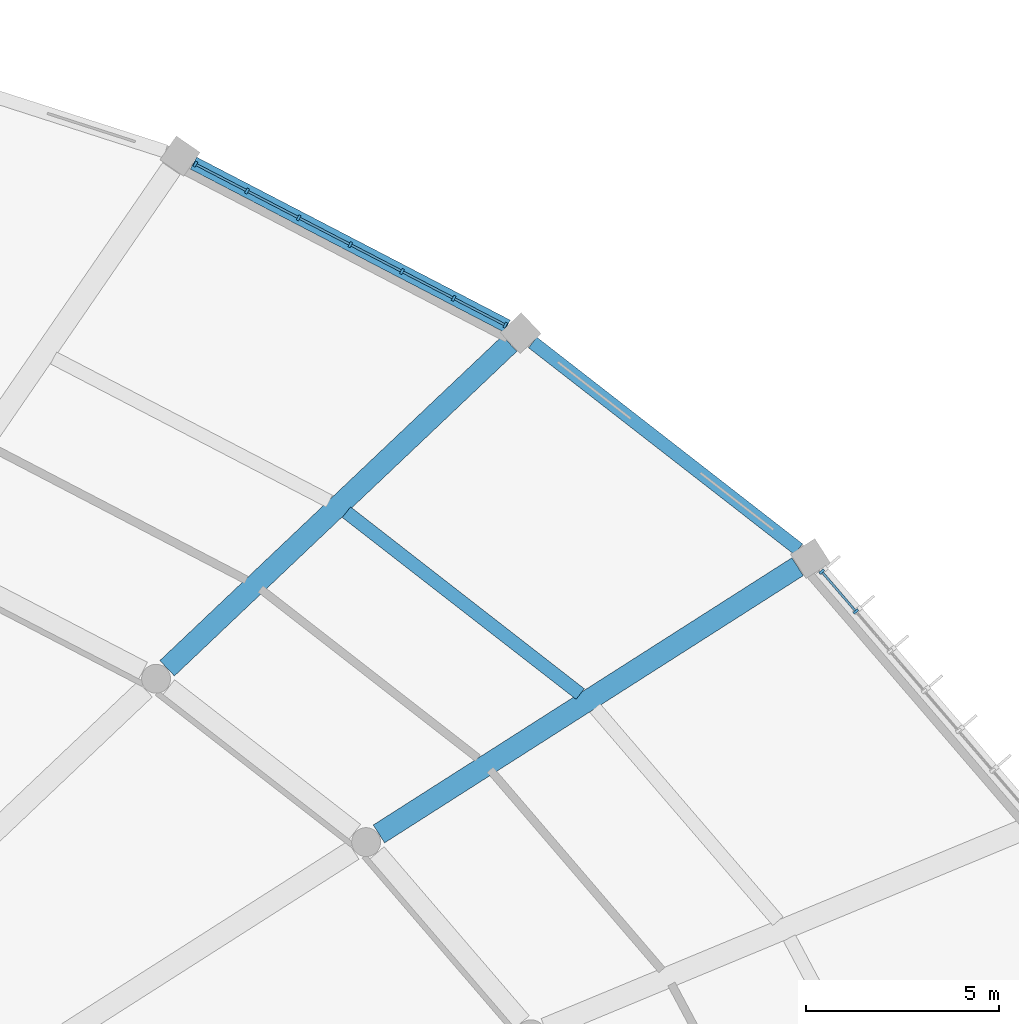
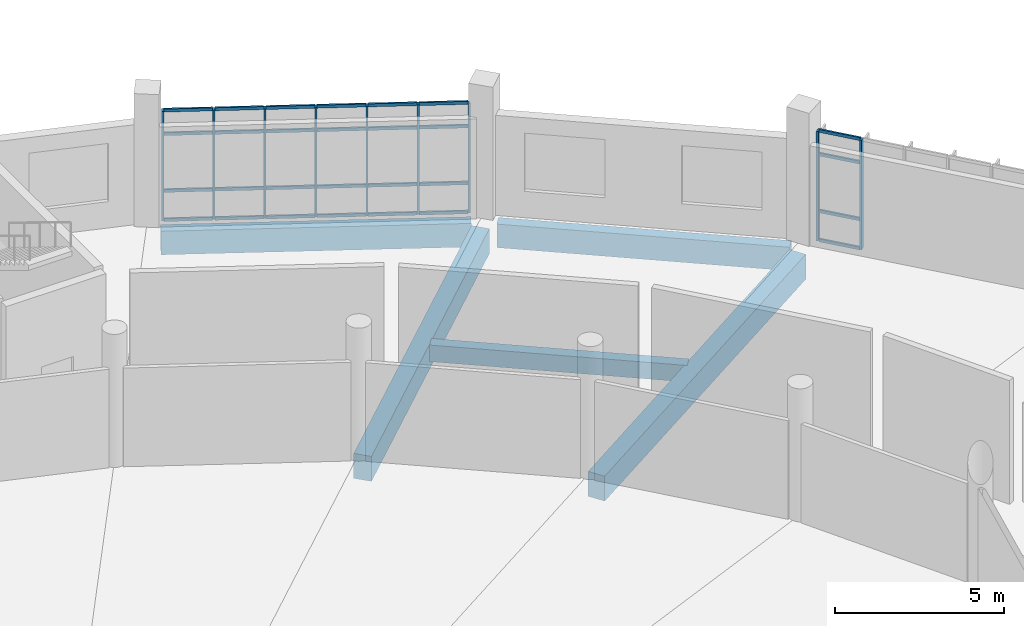
# One storey, part 61 of 179: 37 members, 5 beams, 2 elements without a shape of their own.
"""IFC4 building model written with IfcOpenShell, lengths in metres."""

from ifc_helpers import new_model, si_unit, direction, frame, origin, origin_2d, place, context, subcontext, project, spatial, rectangle, extrude, material, layer, layer_set, material_profile, profile_set, type_object, element, aggregate, save


model = new_model("IFC4")

# Units and contexts
model_context = context("Model", 3, precision=1e-05, world=origin(), true_north=direction((0.0, 1.0)))
body_context = subcontext(model_context, "Body", "Model", "MODEL_VIEW")
ifc_project = project(units=[si_unit("LENGTHUNIT", "METRE"), si_unit("AREAUNIT", "SQUARE_METRE"), si_unit("VOLUMEUNIT", "CUBIC_METRE"), si_unit("PLANEANGLEUNIT", "RADIAN"), si_unit("MASSUNIT", "GRAM", prefix="KILO")], contexts=[model_context])

# Site, building, storey
site_placement = place(None, origin())
site = spatial("IfcSite", under=ifc_project, at=site_placement, CompositionType="ELEMENT")
building_placement = place(site_placement, origin())
building = spatial("IfcBuilding", under=site, at=building_placement, Name="Corvandel Quay Wholesale Market", CompositionType="ELEMENT")
storey_placement = place(building_placement, frame((0.0, 0.0, 6.0)))
storey = spatial("IfcBuildingStorey", under=building, at=storey_placement, Name="L01", CompositionType="ELEMENT", Elevation=6.0)

# Curtain wall, members
ifc_material_1 = material(Name="Bronze anodised aluminium and low-E insulated glazing", Category="aluminium")
ifc_layer_1 = layer(ifc_material_1, 0.174072265625)
ifc_layer_set_1 = layer_set([ifc_layer_1], Name="Bronze anodised aluminium and low-E insulated glazing")
curtain_wall_type_1 = type_object("IfcCurtainWallType", Name="Stick Curtain Wall System CW07 H3630", PredefinedType="NOTDEFINED", material=ifc_layer_set_1)
curtain_wall_1_placement = place(storey_placement, origin())
curtain_wall_1 = element("IfcCurtainWall", 1, at=curtain_wall_1_placement, inside=storey, type_object=curtain_wall_type_1, Name="Curtain Wall CW-0006", PredefinedType="NOTDEFINED")
ifc_material_2 = material(Name="Anodised aluminium 6063-T6", Category="aluminium")
ifc_material_profile_1 = material_profile(ifc_material_2, rectangle(XDim=0.06494140625, YDim=0.14990234375, at=origin_2d()), Name="ALU-MUL-65x150")
ifc_profile_set_1 = profile_set([ifc_material_profile_1], Name="Anodised aluminium 6063-T6")
member_type_1 = type_object("IfcMemberType", Name="Curtain Wall Mullion ML02 65x150", PredefinedType="MULLION", material=ifc_profile_set_1)
member_1_placement = place(storey_placement, frame((157.125244140625, 67.39892578125, 0.0), z_axis=(0.0, 0.0, 1.0), x_axis=(-0.651568967347, 0.758589401976, 0.0)))
member_1 = element("IfcMember", 2, at=member_1_placement, type_object=member_type_1, Name="Mullion CW-0006-M05", PredefinedType="MULLION", context=body_context, shape_type="SweptSolid", body=[
    extrude(rectangle(XDim=0.06494140625, YDim=0.14990234375, at=origin_2d()), origin(), (0.0, 0.0, 1.0), 3.949951171875),
])
member_2_placement = place(storey_placement, frame((156.23828125, 68.431640625, 0.0), z_axis=(0.0, 0.0, 1.0), x_axis=(-0.651568967347, 0.758589401976, 0.0)))
member_2 = element("IfcMember", 3, at=member_2_placement, type_object=member_type_1, Name="Mullion CW-0006-M06", PredefinedType="MULLION", context=body_context, shape_type="SweptSolid", body=[
    extrude(rectangle(XDim=0.06494140625, YDim=0.14990234375, at=origin_2d()), origin(), (0.0, 0.0, 1.0), 3.949951171875),
])

ifc_layer_2 = layer(ifc_material_1, 0.197998046875)
ifc_layer_set_2 = layer_set([ifc_layer_2], Name="Bronze anodised aluminium and low-E insulated glazing")
curtain_wall_type_2 = type_object("IfcCurtainWallType", Name="Stick Curtain Wall System CW09 H3810", PredefinedType="NOTDEFINED", material=ifc_layer_set_2)
curtain_wall_2_placement = place(storey_placement, origin())
curtain_wall_2 = element("IfcCurtainWall", 4, at=curtain_wall_2_placement, inside=storey, type_object=curtain_wall_type_2, Name="Curtain Wall CW-0013", PredefinedType="NOTDEFINED")
member_3_placement = place(storey_placement, frame((148.023681640625, 74.83154296875, 0.0), z_axis=(0.0, 0.0, 1.0), x_axis=(-0.887332978338, 0.461129250378, 0.0)))
member_3 = element("IfcMember", 5, at=member_3_placement, type_object=member_type_1, Name="Mullion CW-0013-M00", PredefinedType="MULLION", context=body_context, shape_type="SweptSolid", body=[
    extrude(rectangle(XDim=0.06494140625, YDim=0.14990234375, at=origin_2d()), origin(), (0.0, 0.0, 1.0), 3.949951171875),
])
member_4_placement = place(storey_placement, frame((146.682861328125, 75.5283203125, 0.0), z_axis=(0.0, 0.0, 1.0), x_axis=(-0.887332978338, 0.461129250378, 0.0)))
member_4 = element("IfcMember", 6, at=member_4_placement, type_object=member_type_1, Name="Mullion CW-0013-M01", PredefinedType="MULLION", context=body_context, shape_type="SweptSolid", body=[
    extrude(rectangle(XDim=0.06494140625, YDim=0.14990234375, at=origin_2d()), origin(), (0.0, 0.0, 1.0), 3.949951171875),
])
member_5_placement = place(storey_placement, frame((145.341796875, 76.22509765625, 0.0), z_axis=(0.0, 0.0, 1.0), x_axis=(-0.887332978338, 0.461129250378, 0.0)))
member_5 = element("IfcMember", 7, at=member_5_placement, type_object=member_type_1, Name="Mullion CW-0013-M02", PredefinedType="MULLION", context=body_context, shape_type="SweptSolid", body=[
    extrude(rectangle(XDim=0.06494140625, YDim=0.14990234375, at=origin_2d()), origin(), (0.0, 0.0, 1.0), 3.949951171875),
])
member_6_placement = place(storey_placement, frame((144.0009765625, 76.922119140625, 0.0), z_axis=(0.0, 0.0, 1.0), x_axis=(-0.887332978338, 0.461129250378, 0.0)))
member_6 = element("IfcMember", 8, at=member_6_placement, type_object=member_type_1, Name="Mullion CW-0013-M03", PredefinedType="MULLION", context=body_context, shape_type="SweptSolid", body=[
    extrude(rectangle(XDim=0.06494140625, YDim=0.14990234375, at=origin_2d()), origin(), (0.0, 0.0, 1.0), 3.949951171875),
])
member_7_placement = place(storey_placement, frame((142.66015625, 77.618896484375, 0.0), z_axis=(0.0, 0.0, 1.0), x_axis=(-0.887332978338, 0.461129250378, 0.0)))
member_7 = element("IfcMember", 9, at=member_7_placement, type_object=member_type_1, Name="Mullion CW-0013-M04", PredefinedType="MULLION", context=body_context, shape_type="SweptSolid", body=[
    extrude(rectangle(XDim=0.06494140625, YDim=0.14990234375, at=origin_2d()), origin(), (0.0, 0.0, 1.0), 3.949951171875),
])
member_8_placement = place(storey_placement, frame((141.319091796875, 78.315673828125, 0.0), z_axis=(0.0, 0.0, 1.0), x_axis=(-0.887332978338, 0.461129250378, 0.0)))
member_8 = element("IfcMember", 10, at=member_8_placement, type_object=member_type_1, Name="Mullion CW-0013-M05", PredefinedType="MULLION", context=body_context, shape_type="SweptSolid", body=[
    extrude(rectangle(XDim=0.06494140625, YDim=0.14990234375, at=origin_2d()), origin(), (0.0, 0.0, 1.0), 3.949951171875),
])
member_9_placement = place(storey_placement, frame((139.978271484375, 79.012451171875, 0.0), z_axis=(0.0, 0.0, 1.0), x_axis=(-0.887332978338, 0.461129250378, 0.0)))
member_9 = element("IfcMember", 11, at=member_9_placement, type_object=member_type_1, Name="Mullion CW-0013-M06", PredefinedType="MULLION", context=body_context, shape_type="SweptSolid", body=[
    extrude(rectangle(XDim=0.06494140625, YDim=0.14990234375, at=origin_2d()), origin(), (0.0, 0.0, 1.0), 3.949951171875),
])

# Member
ifc_material_profile_2 = material_profile(ifc_material_2, rectangle(XDim=0.06005859375, YDim=0.110107421875, at=origin_2d()), Name="ALU-TRN-60x110")
ifc_profile_set_2 = profile_set([ifc_material_profile_2], Name="Anodised aluminium 6063-T6")
member_type_2 = type_object("IfcMemberType", Name="Curtain Wall Transom TR02 60x110", PredefinedType="USERDEFINED", material=ifc_profile_set_2)
member_10_placement = place(storey_placement, frame((157.10400390625, 67.423583984375, 0.0), z_axis=(-0.651489086867, 0.758658005753, 0.0), x_axis=(-0.758658005753, -0.651489086867, 0.0)))
member_10 = element("IfcMember", 12, at=member_10_placement, type_object=member_type_2, Name="Transom CW-0006-T05-0", ObjectType="TRANSOM", PredefinedType="USERDEFINED", context=body_context, shape_type="SweptSolid", body=[
    extrude(rectangle(XDim=0.06005859375, YDim=0.110107421875, at=origin_2d()), origin(), (0.0, 0.0, 1.0), 1.296142578125),
])

member_11_placement = place(storey_placement, frame((157.10400390625, 67.423583984375, 1.050048828125), z_axis=(-0.651489086867, 0.758658005753, 0.0), x_axis=(-0.758658005753, -0.651489086867, 0.0)))
member_11 = element("IfcMember", 13, at=member_11_placement, type_object=member_type_2, Name="Transom CW-0006-T05-1", ObjectType="TRANSOM", PredefinedType="USERDEFINED", context=body_context, shape_type="SweptSolid", body=[
    extrude(rectangle(XDim=0.06005859375, YDim=0.110107421875, at=origin_2d()), origin(), (0.0, 0.0, 1.0), 1.296142578125),
])

member_12_placement = place(storey_placement, frame((157.10400390625, 67.423583984375, 3.10009765625), z_axis=(-0.651489086867, 0.758658005753, 0.0), x_axis=(-0.758658005753, -0.651489086867, 0.0)))
member_12 = element("IfcMember", 14, at=member_12_placement, type_object=member_type_2, Name="Transom CW-0006-T05-2", ObjectType="TRANSOM", PredefinedType="USERDEFINED", context=body_context, shape_type="SweptSolid", body=[
    extrude(rectangle(XDim=0.06005859375, YDim=0.110107421875, at=origin_2d()), origin(), (0.0, 0.0, 1.0), 1.296142578125),
])

member_13_placement = place(storey_placement, frame((157.10400390625, 67.423583984375, 3.949951171875), z_axis=(-0.651489086867, 0.758658005753, 0.0), x_axis=(-0.758658005753, -0.651489086867, 0.0)))
member_13 = element("IfcMember", 15, at=member_13_placement, type_object=member_type_2, Name="Transom CW-0006-T05-3", ObjectType="TRANSOM", PredefinedType="USERDEFINED", context=body_context, shape_type="SweptSolid", body=[
    extrude(rectangle(XDim=0.06005859375, YDim=0.110107421875, at=origin_2d()), origin(), (0.0, 0.0, 1.0), 1.296142578125),
])

aggregate(curtain_wall_1, [member_1, member_2, member_10, member_11, member_12, member_13])

member_14_placement = place(storey_placement, frame((147.994873046875, 74.846435546875, 0.0), z_axis=(-0.887363258925, 0.461070977953, 0.0), x_axis=(-0.461070977953, -0.887363258925, 0.0)))
member_14 = element("IfcMember", 16, at=member_14_placement, type_object=member_type_2, Name="Transom CW-0013-T00-0", ObjectType="TRANSOM", PredefinedType="USERDEFINED", context=body_context, shape_type="SweptSolid", body=[
    extrude(rectangle(XDim=0.06005859375, YDim=0.110107421875, at=origin_2d()), origin(), (0.0, 0.0, 1.0), 1.446044921875),
])

member_15_placement = place(storey_placement, frame((147.994873046875, 74.846435546875, 1.050048828125), z_axis=(-0.887363258925, 0.461070977953, 0.0), x_axis=(-0.461070977953, -0.887363258925, 0.0)))
member_15 = element("IfcMember", 17, at=member_15_placement, type_object=member_type_2, Name="Transom CW-0013-T00-1", ObjectType="TRANSOM", PredefinedType="USERDEFINED", context=body_context, shape_type="SweptSolid", body=[
    extrude(rectangle(XDim=0.06005859375, YDim=0.110107421875, at=origin_2d()), origin(), (0.0, 0.0, 1.0), 1.446044921875),
])

member_16_placement = place(storey_placement, frame((147.994873046875, 74.846435546875, 3.10009765625), z_axis=(-0.887363258925, 0.461070977953, 0.0), x_axis=(-0.461070977953, -0.887363258925, 0.0)))
member_16 = element("IfcMember", 18, at=member_16_placement, type_object=member_type_2, Name="Transom CW-0013-T00-2", ObjectType="TRANSOM", PredefinedType="USERDEFINED", context=body_context, shape_type="SweptSolid", body=[
    extrude(rectangle(XDim=0.06005859375, YDim=0.110107421875, at=origin_2d()), origin(), (0.0, 0.0, 1.0), 1.446044921875),
])

member_17_placement = place(storey_placement, frame((147.994873046875, 74.846435546875, 3.949951171875), z_axis=(-0.887363258925, 0.461070977953, 0.0), x_axis=(-0.461070977953, -0.887363258925, 0.0)))
member_17 = element("IfcMember", 19, at=member_17_placement, type_object=member_type_2, Name="Transom CW-0013-T00-3", ObjectType="TRANSOM", PredefinedType="USERDEFINED", context=body_context, shape_type="SweptSolid", body=[
    extrude(rectangle(XDim=0.06005859375, YDim=0.110107421875, at=origin_2d()), origin(), (0.0, 0.0, 1.0), 1.446044921875),
])

member_18_placement = place(storey_placement, frame((146.654052734375, 75.543212890625, 0.0), z_axis=(-0.887330080745, 0.46113482606, 0.0), x_axis=(-0.46113482606, -0.887330080745, 0.0)))
member_18 = element("IfcMember", 20, at=member_18_placement, type_object=member_type_2, Name="Transom CW-0013-T01-0", ObjectType="TRANSOM", PredefinedType="USERDEFINED", context=body_context, shape_type="SweptSolid", body=[
    extrude(rectangle(XDim=0.06005859375, YDim=0.110107421875, at=origin_2d()), origin(), (0.0, 0.0, 1.0), 1.446533203125),
])

member_19_placement = place(storey_placement, frame((146.654052734375, 75.543212890625, 1.050048828125), z_axis=(-0.887330080745, 0.46113482606, 0.0), x_axis=(-0.46113482606, -0.887330080745, 0.0)))
member_19 = element("IfcMember", 21, at=member_19_placement, type_object=member_type_2, Name="Transom CW-0013-T01-1", ObjectType="TRANSOM", PredefinedType="USERDEFINED", context=body_context, shape_type="SweptSolid", body=[
    extrude(rectangle(XDim=0.06005859375, YDim=0.110107421875, at=origin_2d()), origin(), (0.0, 0.0, 1.0), 1.446533203125),
])

member_20_placement = place(storey_placement, frame((146.654052734375, 75.543212890625, 3.10009765625), z_axis=(-0.887330080745, 0.46113482606, 0.0), x_axis=(-0.46113482606, -0.887330080745, 0.0)))
member_20 = element("IfcMember", 22, at=member_20_placement, type_object=member_type_2, Name="Transom CW-0013-T01-2", ObjectType="TRANSOM", PredefinedType="USERDEFINED", context=body_context, shape_type="SweptSolid", body=[
    extrude(rectangle(XDim=0.06005859375, YDim=0.110107421875, at=origin_2d()), origin(), (0.0, 0.0, 1.0), 1.446533203125),
])

member_21_placement = place(storey_placement, frame((146.654052734375, 75.543212890625, 3.949951171875), z_axis=(-0.887330080745, 0.46113482606, 0.0), x_axis=(-0.46113482606, -0.887330080745, 0.0)))
member_21 = element("IfcMember", 23, at=member_21_placement, type_object=member_type_2, Name="Transom CW-0013-T01-3", ObjectType="TRANSOM", PredefinedType="USERDEFINED", context=body_context, shape_type="SweptSolid", body=[
    extrude(rectangle(XDim=0.06005859375, YDim=0.110107421875, at=origin_2d()), origin(), (0.0, 0.0, 1.0), 1.446533203125),
])

member_22_placement = place(storey_placement, frame((145.31298828125, 76.240234375, 0.0), z_axis=(-0.887363258925, 0.461070977953, 0.0), x_axis=(-0.461070977953, -0.887363258925, 0.0)))
member_22 = element("IfcMember", 24, at=member_22_placement, type_object=member_type_2, Name="Transom CW-0013-T02-0", ObjectType="TRANSOM", PredefinedType="USERDEFINED", context=body_context, shape_type="SweptSolid", body=[
    extrude(rectangle(XDim=0.06005859375, YDim=0.110107421875, at=origin_2d()), origin(), (0.0, 0.0, 1.0), 1.446044921875),
])

member_23_placement = place(storey_placement, frame((145.31298828125, 76.240234375, 1.050048828125), z_axis=(-0.887363258925, 0.461070977953, 0.0), x_axis=(-0.461070977953, -0.887363258925, 0.0)))
member_23 = element("IfcMember", 25, at=member_23_placement, type_object=member_type_2, Name="Transom CW-0013-T02-1", ObjectType="TRANSOM", PredefinedType="USERDEFINED", context=body_context, shape_type="SweptSolid", body=[
    extrude(rectangle(XDim=0.06005859375, YDim=0.110107421875, at=origin_2d()), origin(), (0.0, 0.0, 1.0), 1.446044921875),
])

member_24_placement = place(storey_placement, frame((145.31298828125, 76.240234375, 3.10009765625), z_axis=(-0.887363258925, 0.461070977953, 0.0), x_axis=(-0.461070977953, -0.887363258925, 0.0)))
member_24 = element("IfcMember", 26, at=member_24_placement, type_object=member_type_2, Name="Transom CW-0013-T02-2", ObjectType="TRANSOM", PredefinedType="USERDEFINED", context=body_context, shape_type="SweptSolid", body=[
    extrude(rectangle(XDim=0.06005859375, YDim=0.110107421875, at=origin_2d()), origin(), (0.0, 0.0, 1.0), 1.446044921875),
])

member_25_placement = place(storey_placement, frame((145.31298828125, 76.240234375, 3.949951171875), z_axis=(-0.887363258925, 0.461070977953, 0.0), x_axis=(-0.461070977953, -0.887363258925, 0.0)))
member_25 = element("IfcMember", 27, at=member_25_placement, type_object=member_type_2, Name="Transom CW-0013-T02-3", ObjectType="TRANSOM", PredefinedType="USERDEFINED", context=body_context, shape_type="SweptSolid", body=[
    extrude(rectangle(XDim=0.06005859375, YDim=0.110107421875, at=origin_2d()), origin(), (0.0, 0.0, 1.0), 1.446044921875),
])

member_26_placement = place(storey_placement, frame((143.97216796875, 76.93701171875, 0.0), z_axis=(-0.887363258925, 0.461070977953, 0.0), x_axis=(-0.461070977953, -0.887363258925, 0.0)))
member_26 = element("IfcMember", 28, at=member_26_placement, type_object=member_type_2, Name="Transom CW-0013-T03-0", ObjectType="TRANSOM", PredefinedType="USERDEFINED", context=body_context, shape_type="SweptSolid", body=[
    extrude(rectangle(XDim=0.06005859375, YDim=0.110107421875, at=origin_2d()), origin(), (0.0, 0.0, 1.0), 1.446044921875),
])

member_27_placement = place(storey_placement, frame((143.97216796875, 76.93701171875, 1.050048828125), z_axis=(-0.887363258925, 0.461070977953, 0.0), x_axis=(-0.461070977953, -0.887363258925, 0.0)))
member_27 = element("IfcMember", 29, at=member_27_placement, type_object=member_type_2, Name="Transom CW-0013-T03-1", ObjectType="TRANSOM", PredefinedType="USERDEFINED", context=body_context, shape_type="SweptSolid", body=[
    extrude(rectangle(XDim=0.06005859375, YDim=0.110107421875, at=origin_2d()), origin(), (0.0, 0.0, 1.0), 1.446044921875),
])

member_28_placement = place(storey_placement, frame((143.97216796875, 76.93701171875, 3.10009765625), z_axis=(-0.887363258925, 0.461070977953, 0.0), x_axis=(-0.461070977953, -0.887363258925, 0.0)))
member_28 = element("IfcMember", 30, at=member_28_placement, type_object=member_type_2, Name="Transom CW-0013-T03-2", ObjectType="TRANSOM", PredefinedType="USERDEFINED", context=body_context, shape_type="SweptSolid", body=[
    extrude(rectangle(XDim=0.06005859375, YDim=0.110107421875, at=origin_2d()), origin(), (0.0, 0.0, 1.0), 1.446044921875),
])

member_29_placement = place(storey_placement, frame((143.97216796875, 76.93701171875, 3.949951171875), z_axis=(-0.887363258925, 0.461070977953, 0.0), x_axis=(-0.461070977953, -0.887363258925, 0.0)))
member_29 = element("IfcMember", 31, at=member_29_placement, type_object=member_type_2, Name="Transom CW-0013-T03-3", ObjectType="TRANSOM", PredefinedType="USERDEFINED", context=body_context, shape_type="SweptSolid", body=[
    extrude(rectangle(XDim=0.06005859375, YDim=0.110107421875, at=origin_2d()), origin(), (0.0, 0.0, 1.0), 1.446044921875),
])

member_30_placement = place(storey_placement, frame((142.63134765625, 77.6337890625, 0.0), z_axis=(-0.887330080745, 0.46113482606, 0.0), x_axis=(-0.46113482606, -0.887330080745, 0.0)))
member_30 = element("IfcMember", 32, at=member_30_placement, type_object=member_type_2, Name="Transom CW-0013-T04-0", ObjectType="TRANSOM", PredefinedType="USERDEFINED", context=body_context, shape_type="SweptSolid", body=[
    extrude(rectangle(XDim=0.06005859375, YDim=0.110107421875, at=origin_2d()), origin(), (0.0, 0.0, 1.0), 1.446533203125),
])

member_31_placement = place(storey_placement, frame((142.63134765625, 77.6337890625, 1.050048828125), z_axis=(-0.887330080745, 0.46113482606, 0.0), x_axis=(-0.46113482606, -0.887330080745, 0.0)))
member_31 = element("IfcMember", 33, at=member_31_placement, type_object=member_type_2, Name="Transom CW-0013-T04-1", ObjectType="TRANSOM", PredefinedType="USERDEFINED", context=body_context, shape_type="SweptSolid", body=[
    extrude(rectangle(XDim=0.06005859375, YDim=0.110107421875, at=origin_2d()), origin(), (0.0, 0.0, 1.0), 1.446533203125),
])

member_32_placement = place(storey_placement, frame((142.63134765625, 77.6337890625, 3.10009765625), z_axis=(-0.887330080745, 0.46113482606, 0.0), x_axis=(-0.46113482606, -0.887330080745, 0.0)))
member_32 = element("IfcMember", 34, at=member_32_placement, type_object=member_type_2, Name="Transom CW-0013-T04-2", ObjectType="TRANSOM", PredefinedType="USERDEFINED", context=body_context, shape_type="SweptSolid", body=[
    extrude(rectangle(XDim=0.06005859375, YDim=0.110107421875, at=origin_2d()), origin(), (0.0, 0.0, 1.0), 1.446533203125),
])

member_33_placement = place(storey_placement, frame((142.63134765625, 77.6337890625, 3.949951171875), z_axis=(-0.887330080745, 0.46113482606, 0.0), x_axis=(-0.46113482606, -0.887330080745, 0.0)))
member_33 = element("IfcMember", 35, at=member_33_placement, type_object=member_type_2, Name="Transom CW-0013-T04-3", ObjectType="TRANSOM", PredefinedType="USERDEFINED", context=body_context, shape_type="SweptSolid", body=[
    extrude(rectangle(XDim=0.06005859375, YDim=0.110107421875, at=origin_2d()), origin(), (0.0, 0.0, 1.0), 1.446533203125),
])

member_34_placement = place(storey_placement, frame((141.290283203125, 78.330810546875, 0.0), z_axis=(-0.887363258925, 0.461070977953, 0.0), x_axis=(-0.461070977953, -0.887363258925, 0.0)))
member_34 = element("IfcMember", 36, at=member_34_placement, type_object=member_type_2, Name="Transom CW-0013-T05-0", ObjectType="TRANSOM", PredefinedType="USERDEFINED", context=body_context, shape_type="SweptSolid", body=[
    extrude(rectangle(XDim=0.06005859375, YDim=0.110107421875, at=origin_2d()), origin(), (0.0, 0.0, 1.0), 1.446044921875),
])

member_35_placement = place(storey_placement, frame((141.290283203125, 78.330810546875, 1.050048828125), z_axis=(-0.887363258925, 0.461070977953, 0.0), x_axis=(-0.461070977953, -0.887363258925, 0.0)))
member_35 = element("IfcMember", 37, at=member_35_placement, type_object=member_type_2, Name="Transom CW-0013-T05-1", ObjectType="TRANSOM", PredefinedType="USERDEFINED", context=body_context, shape_type="SweptSolid", body=[
    extrude(rectangle(XDim=0.06005859375, YDim=0.110107421875, at=origin_2d()), origin(), (0.0, 0.0, 1.0), 1.446044921875),
])

member_36_placement = place(storey_placement, frame((141.290283203125, 78.330810546875, 3.10009765625), z_axis=(-0.887363258925, 0.461070977953, 0.0), x_axis=(-0.461070977953, -0.887363258925, 0.0)))
member_36 = element("IfcMember", 38, at=member_36_placement, type_object=member_type_2, Name="Transom CW-0013-T05-2", ObjectType="TRANSOM", PredefinedType="USERDEFINED", context=body_context, shape_type="SweptSolid", body=[
    extrude(rectangle(XDim=0.06005859375, YDim=0.110107421875, at=origin_2d()), origin(), (0.0, 0.0, 1.0), 1.446044921875),
])

member_37_placement = place(storey_placement, frame((141.290283203125, 78.330810546875, 3.949951171875), z_axis=(-0.887363258925, 0.461070977953, 0.0), x_axis=(-0.461070977953, -0.887363258925, 0.0)))
member_37 = element("IfcMember", 39, at=member_37_placement, type_object=member_type_2, Name="Transom CW-0013-T05-3", ObjectType="TRANSOM", PredefinedType="USERDEFINED", context=body_context, shape_type="SweptSolid", body=[
    extrude(rectangle(XDim=0.06005859375, YDim=0.110107421875, at=origin_2d()), origin(), (0.0, 0.0, 1.0), 1.446044921875),
])

aggregate(curtain_wall_2, [member_3, member_4, member_5, member_6, member_7, member_8, member_9, member_14, member_15, member_16, member_17, member_18, member_19, member_20, member_21, member_22, member_23, member_24, member_25, member_26, member_27, member_28, member_29, member_30, member_31, member_32, member_33, member_34, member_35, member_36, member_37])

# Beams
ifc_material_3 = material(Name="Precast concrete C45/55", Category="concrete")
ifc_material_profile_3 = material_profile(ifc_material_3, rectangle(XDim=0.35009765625, YDim=0.85009765625, at=origin_2d()), Name="PC-SPN-350x850")
ifc_profile_set_3 = profile_set([ifc_material_profile_3], Name="Precast concrete C45/55")
beam_type_1 = type_object("IfcBeamType", Name="Perimeter Precast Spandrel SP01 350x850", PredefinedType="SPANDREL", material=ifc_profile_set_3)
beam_1_placement = place(storey_placement, frame((155.63330078125, 69.015380859375, -0.72509765625), z_axis=(-0.789310099269, 0.613994761535, 0.0), x_axis=(-0.613994761535, -0.789310099269, 0.0)))
element("IfcBeam", 40, at=beam_1_placement, inside=storey, type_object=beam_type_1, Name="Beam BM-0040", PredefinedType="SPANDREL", context=body_context, shape_type="SweptSolid", body=[
    extrude(rectangle(XDim=0.35009765625, YDim=0.85009765625, at=origin_2d()), origin(), (0.0, 0.0, 1.0), 8.73974609375),
])
beam_2_placement = place(storey_placement, frame((148.072509765625, 74.80615234375, -0.72509765625), z_axis=(-0.887337425386, 0.461120692997, 0.0), x_axis=(-0.461120692997, -0.887337425386, 0.0)))
element("IfcBeam", 41, at=beam_2_placement, inside=storey, type_object=beam_type_1, Name="Beam BM-0053", PredefinedType="SPANDREL", context=body_context, shape_type="SweptSolid", body=[
    extrude(rectangle(XDim=0.35009765625, YDim=0.85009765625, at=origin_2d()), origin(), (0.0, 0.0, 1.0), 9.177001953125),
])
ifc_material_profile_4 = material_profile(ifc_material_3, rectangle(XDim=0.550048828125, YDim=0.89990234375, at=origin_2d()), Name="PC-GIR-550x900")
ifc_profile_set_4 = profile_set([ifc_material_profile_4], Name="Precast concrete C45/55")
beam_type_2 = type_object("IfcBeamType", Name="Produce Hall Radial Girder G03 550x900", PredefinedType="USERDEFINED", material=ifc_profile_set_4)
beam_3_placement = place(storey_placement, frame((155.612060546875, 68.560546875, -0.75), z_axis=(-0.842948152457, -0.537994806916, 0.0), x_axis=(0.537994806916, -0.842948152457, 0.0)))
element("IfcBeam", 42, at=beam_3_placement, inside=storey, type_object=beam_type_2, Name="Beam BM-0042", ObjectType="GIRDER", PredefinedType="USERDEFINED", context=body_context, shape_type="SweptSolid", body=[
    extrude(rectangle(XDim=0.550048828125, YDim=0.89990234375, at=origin_2d()), origin(), (0.0, 0.0, 1.0), 12.894287109375),
])
beam_4_placement = place(storey_placement, frame((148.13623046875, 74.352294921875, -0.75), z_axis=(-0.72578301485, -0.687923698789, 0.0), x_axis=(0.687923698789, -0.72578301485, 0.0)))
element("IfcBeam", 43, at=beam_4_placement, inside=storey, type_object=beam_type_2, Name="Beam BM-0055", ObjectType="GIRDER", PredefinedType="USERDEFINED", context=body_context, shape_type="SweptSolid", body=[
    extrude(rectangle(XDim=0.550048828125, YDim=0.89990234375, at=origin_2d()), origin(), (0.0, 0.0, 1.0), 12.25244140625),
])
ifc_material_profile_5 = material_profile(ifc_material_3, rectangle(XDim=0.35009765625, YDim=0.60009765625, at=origin_2d()), Name="PC-BM-350x600")
ifc_profile_set_5 = profile_set([ifc_material_profile_5], Name="Precast concrete C45/55")
beam_type_3 = type_object("IfcBeamType", Name="Trading Gallery Secondary Beam B02 350x600", PredefinedType="BEAM", material=ifc_profile_set_5)
beam_5_placement = place(storey_placement, frame((149.96826171875, 65.254638671875, -0.60009765625), z_axis=(-0.789333409803, 0.613964793916, 0.0), x_axis=(-0.613964793916, -0.789333409803, 0.0)))
element("IfcBeam", 44, at=beam_5_placement, inside=storey, type_object=beam_type_3, Name="Beam BM-0043", PredefinedType="BEAM", context=body_context, shape_type="SweptSolid", body=[
    extrude(rectangle(XDim=0.35009765625, YDim=0.60009765625, at=origin_2d()), origin(), (0.0, 0.0, 1.0), 7.68896484375),
])

save(model, "model.ifc")
